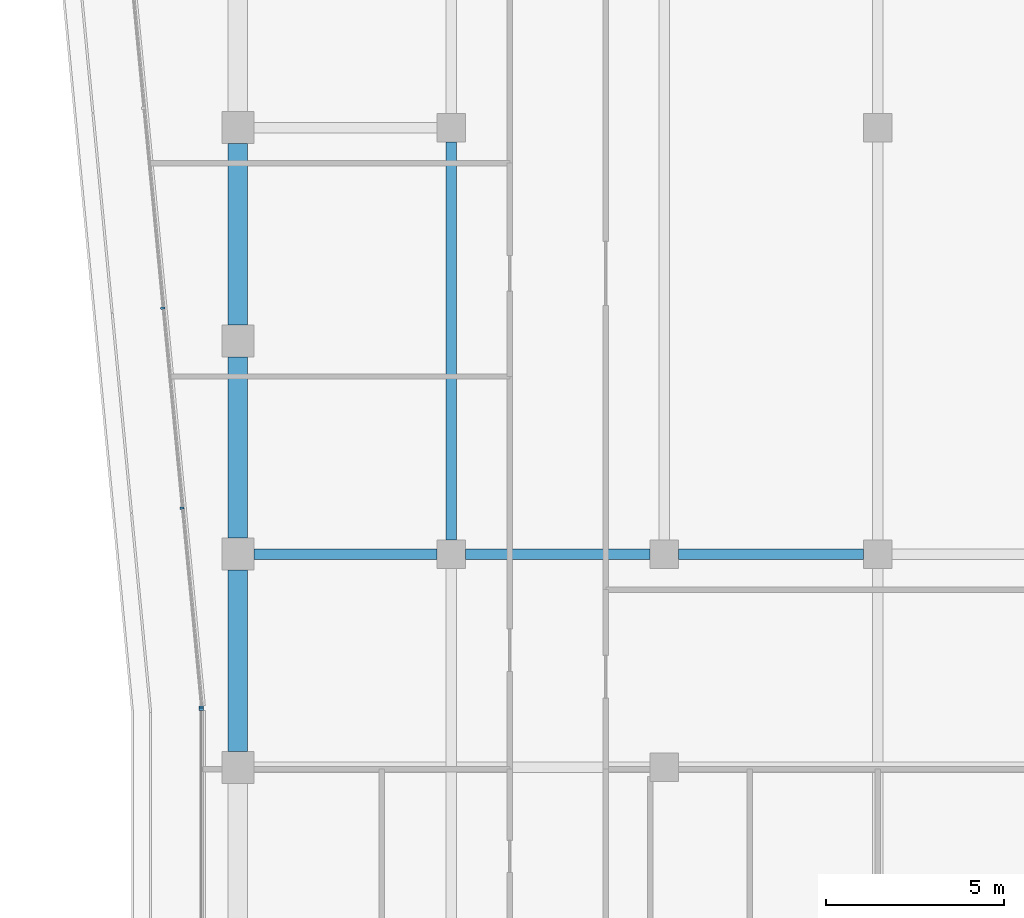
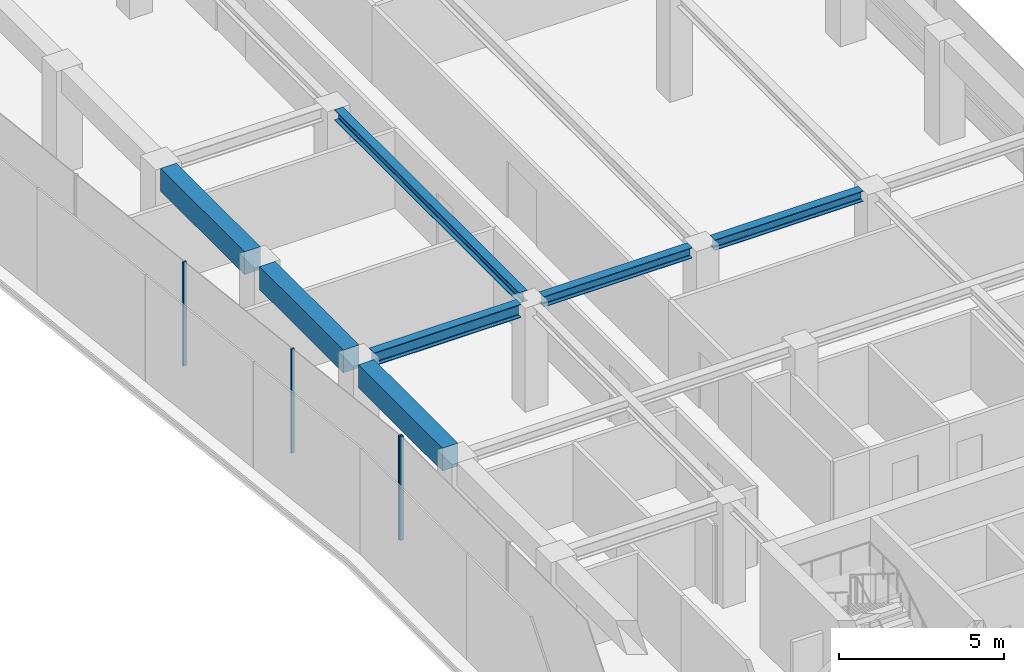
# One storey, part 7 of 23: 7 beams, 4 members, 2 elements without a shape of their own.
"""IFC4 building model written with IfcOpenShell, lengths in metres."""

from ifc_helpers import new_model, si_unit, direction, frame, origin, origin_2d, place, context, subcontext, project, spatial, rectangle, i_section, extrude, material, layer, layer_set, material_profile, profile_set, type_object, element, aggregate, save


model = new_model("IFC4")

# Units and contexts
model_context = context("Model", 3, precision=1e-05, world=origin(), true_north=direction((0.0, 1.0)))
body_context = subcontext(model_context, "Body", "Model", "MODEL_VIEW")
ifc_project = project(units=[si_unit("LENGTHUNIT", "METRE"), si_unit("AREAUNIT", "SQUARE_METRE"), si_unit("VOLUMEUNIT", "CUBIC_METRE"), si_unit("PLANEANGLEUNIT", "RADIAN"), si_unit("MASSUNIT", "GRAM", prefix="KILO")], contexts=[model_context])

# Site, building, storey
site_placement = place(None, origin())
site = spatial("IfcSite", under=ifc_project, at=site_placement, CompositionType="ELEMENT")
building_placement = place(site_placement, origin())
building = spatial("IfcBuilding", under=site, at=building_placement, Name="Welwitschia Terrace Campus", CompositionType="ELEMENT")
storey_placement = place(building_placement, frame((0.0, 0.0, 205.39990234375)))
storey = spatial("IfcBuildingStorey", under=building, at=storey_placement, Name="L45", CompositionType="ELEMENT", Elevation=205.39990234375)

# Beams
ifc_material_1 = material(Name="Steel S355", Category="steel")
ifc_material_profile_1 = material_profile(ifc_material_1, i_section(OverallWidth=0.300048828125, OverallDepth=0.389892578125, WebThickness=0.010986328125, FlangeThickness=0.01904296875, FilletRadius=0.027099609375, at=origin_2d()))
ifc_profile_set_1 = profile_set([ifc_material_profile_1], Name="Steel S355")
beam_type_1 = type_object("IfcBeamType", Name="Interior girder HE 400 A", PredefinedType="BEAM", material=ifc_profile_set_1)
for number, where, z_axis, x_axis, name in (
    (1, (6.400390625, 40.0, 3.655029296875), (1.0, 0.0, 0.0), (0.0, 1.0, 0.0), "Girder GB5"),
    (2, (12.400390625, 40.0, 3.655029296875), (1.0, 0.0, 0.0), (0.0, 1.0, 0.0), "Girder GB5"),
):
    element("IfcBeam", number, at=place(storey_placement, frame(where, z_axis=z_axis, x_axis=x_axis)), inside=storey, type_object=beam_type_1, Name=name, PredefinedType="BEAM", context=body_context, shape_type="SweptSolid", body=[
        extrude(i_section(OverallWidth=0.300048828125, OverallDepth=0.389892578125, WebThickness=0.010986328125, FlangeThickness=0.01904296875, FilletRadius=0.027099609375, at=origin_2d()), origin(), (0.0, 0.0, 1.0), 5.19921875),
    ])
beam_1_placement = place(storey_placement, frame((6.0, 40.400390625, 3.655029296875), z_axis=(0.0, 1.0, 0.0), x_axis=(-1.0, 0.0, 0.0)))
element("IfcBeam", 3, at=beam_1_placement, inside=storey, type_object=beam_type_1, Name="Girder GB5", PredefinedType="BEAM", context=body_context, shape_type="SweptSolid", body=[
    extrude(i_section(OverallWidth=0.300048828125, OverallDepth=0.389892578125, WebThickness=0.010986328125, FlangeThickness=0.01904296875, FilletRadius=0.027099609375, at=origin_2d()), origin(), (0.0, 0.0, 1.0), 11.19921875),
])

# Curtain wall, member
ifc_material_2 = material(Name="Bronze anodised aluminium", Category="aluminium")
ifc_layer = layer(ifc_material_2, 0.1201171875)
ifc_layer_set = layer_set([ifc_layer], Name="Bronze anodised aluminium")
curtain_wall_type = type_object("IfcCurtainWallType", Name="Curtain wall CW2 tower 6000", PredefinedType="NOTDEFINED", material=ifc_layer_set)
curtain_wall_1_placement = place(storey_placement, origin())
curtain_wall_1 = element("IfcCurtainWall", 4, at=curtain_wall_1_placement, inside=storey, type_object=curtain_wall_type, Name="CW L45.0.0", PredefinedType="NOTDEFINED")
ifc_material_3 = material(Name="Bronze anodised aluminium", Category="aluminium")
ifc_material_profile_2 = material_profile(ifc_material_3, rectangle(XDim=0.1201171875, YDim=0.06005859375, at=origin_2d()))
ifc_profile_set_2 = profile_set([ifc_material_profile_2], Name="Bronze anodised aluminium")
member_type = type_object("IfcMemberType", Name="Mullion 60x120", PredefinedType="MULLION", material=ifc_profile_set_2)
member_1_placement = place(storey_placement, frame((-1.030029296875, 35.637451171875, 0.0), z_axis=(0.0, 0.0, 1.0), x_axis=(1.0, 0.0, 0.0)))
member_1 = element("IfcMember", 5, at=member_1_placement, type_object=member_type, Name="Mullion L45.0.0.0", PredefinedType="MULLION", context=body_context, shape_type="SweptSolid", body=[
    extrude(rectangle(XDim=0.1201171875, YDim=0.06005859375, at=origin_2d()), origin(), (0.0, 0.0, 1.0), 3.85009765625),
])
aggregate(curtain_wall_1, [member_1])

# Curtain wall, members
curtain_wall_2_placement = place(storey_placement, origin())
curtain_wall_2 = element("IfcCurtainWall", 6, at=curtain_wall_2_placement, inside=storey, type_object=curtain_wall_type, Name="CW L45.11.0", PredefinedType="NOTDEFINED")
member_2_placement = place(storey_placement, frame((-2.11376953125, 46.92236328125, 0.0), z_axis=(0.0, 0.0, 1.0), x_axis=(0.995396198367, 0.09584575252, 0.0)))
member_2 = element("IfcMember", 7, at=member_2_placement, type_object=member_type, Name="Mullion L45.11.0.4", PredefinedType="MULLION", context=body_context, shape_type="SweptSolid", body=[
    extrude(rectangle(XDim=0.1201171875, YDim=0.06005859375, at=origin_2d()), origin(), (0.0, 0.0, 1.0), 3.85009765625),
])
member_3_placement = place(storey_placement, frame((-1.57177734375, 41.294921875, 0.0), z_axis=(0.0, 0.0, 1.0), x_axis=(0.995396198367, 0.09584575252, 0.0)))
member_3 = element("IfcMember", 8, at=member_3_placement, type_object=member_type, Name="Mullion L45.11.0.5", PredefinedType="MULLION", context=body_context, shape_type="SweptSolid", body=[
    extrude(rectangle(XDim=0.1201171875, YDim=0.06005859375, at=origin_2d()), origin(), (0.0, 0.0, 1.0), 3.85009765625),
])
member_4_placement = place(storey_placement, frame((-1.032958984375, 35.697265625, 0.0), z_axis=(0.0, 0.0, 1.0), x_axis=(0.995396198367, 0.09584575252, 0.0)))
member_4 = element("IfcMember", 9, at=member_4_placement, type_object=member_type, Name="Mullion L45.11.0.6", PredefinedType="MULLION", context=body_context, shape_type="SweptSolid", body=[
    extrude(rectangle(XDim=0.1201171875, YDim=0.06005859375, at=origin_2d()), origin(), (0.0, 0.0, 1.0), 3.85009765625),
])
aggregate(curtain_wall_2, [member_2, member_3, member_4])

# Beams
ifc_material_4 = material(Name="Steel S355", Category="steel")
ifc_material_profile_3 = material_profile(ifc_material_4, i_section(OverallWidth=0.300048828125, OverallDepth=0.489990234375, WebThickness=0.011962890625, FlangeThickness=0.02294921875, FilletRadius=0.027099609375, at=origin_2d()))
ifc_profile_set_3 = profile_set([ifc_material_profile_3], Name="Steel S355")
beam_type_2 = type_object("IfcBeamType", Name="Primary beam HE 500 A", PredefinedType="BEAM", material=ifc_profile_set_3)
beam_2_placement = place(storey_placement, frame((0.450439453125, 40.0, 3.60498046875), z_axis=(1.0, 0.0, 0.0), x_axis=(0.0, 1.0, 0.0)))
element("IfcBeam", 10, at=beam_2_placement, inside=storey, type_object=beam_type_2, Name="Primary beam PB5", PredefinedType="BEAM", context=body_context, shape_type="SweptSolid", body=[
    extrude(i_section(OverallWidth=0.300048828125, OverallDepth=0.489990234375, WebThickness=0.011962890625, FlangeThickness=0.02294921875, FilletRadius=0.027099609375, at=origin_2d()), origin(), (0.0, 0.0, 1.0), 5.149169921875),
])
ifc_material_5 = material(Name="Concrete C50/60", Category="concrete")
ifc_material_profile_4 = material_profile(ifc_material_5, rectangle(XDim=0.550048828125, YDim=0.85009765625, at=origin_2d()))
ifc_profile_set_4 = profile_set([ifc_material_profile_4], Name="Concrete C50/60")
beam_type_3 = type_object("IfcBeamType", Name="Ring spandrel 550x850", PredefinedType="SPANDREL", material=ifc_profile_set_4)
for number, where, z_axis, x_axis, name in (
    (11, (0.0, 51.549560546875, 3.425048828125), (0.0, -1.0, 0.0), (1.0, 0.0, 0.0), "Spandrel SP3"),
    (12, (0.0, 45.549560546875, 3.425048828125), (0.0, -1.0, 0.0), (1.0, 0.0, 0.0), "Spandrel SP3"),
    (13, (0.0, 39.549560546875, 3.425048828125), (0.0, -1.0, 0.0), (1.0, 0.0, 0.0), "Spandrel SP3"),
):
    element("IfcBeam", number, at=place(storey_placement, frame(where, z_axis=z_axis, x_axis=x_axis)), inside=storey, type_object=beam_type_3, Name=name, PredefinedType="SPANDREL", context=body_context, shape_type="SweptSolid", body=[
        extrude(rectangle(XDim=0.550048828125, YDim=0.85009765625, at=origin_2d()), origin(), (0.0, 0.0, 1.0), 5.09912109375),
    ])

save(model, "model.ifc")
